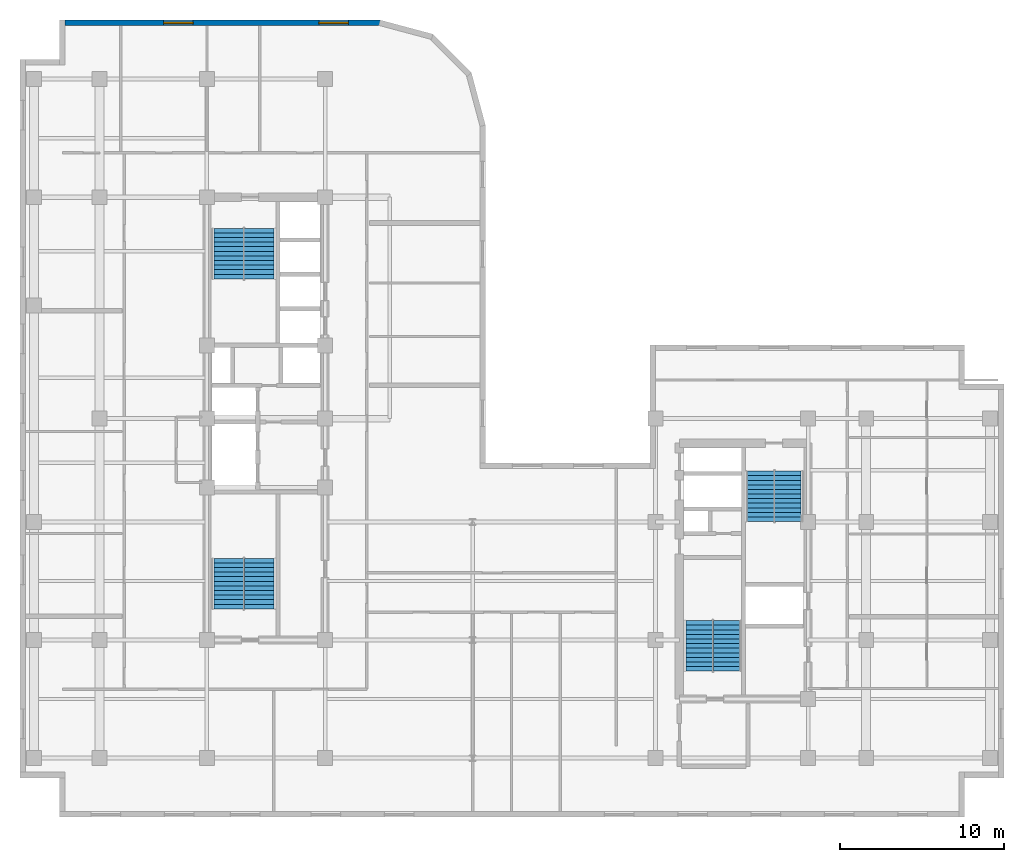
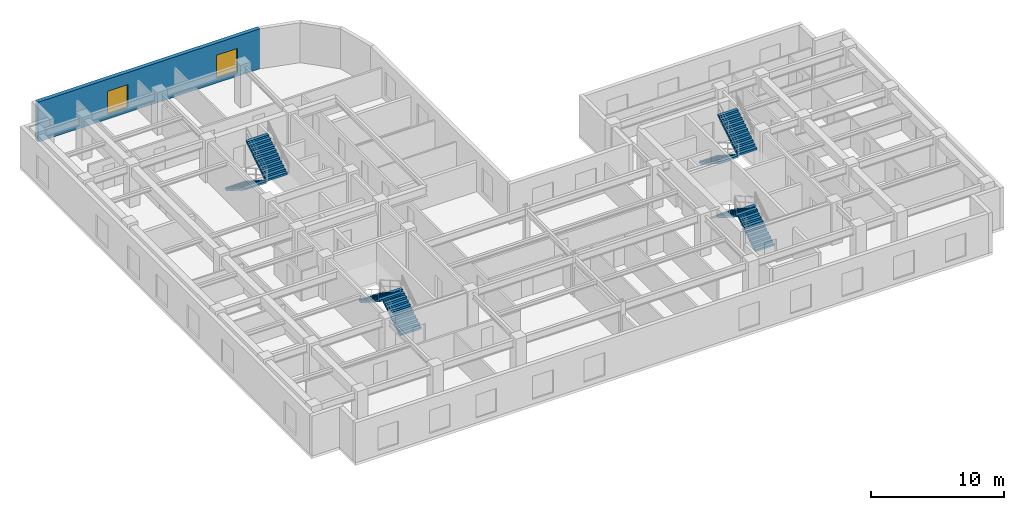
# One storey, part 8 of 11: 8 stair flights, 2 windows, 1 wall, 2 openings, 4 elements without a shape of their own.
"""IFC4 building model written with IfcOpenShell, lengths in metres."""

from ifc_helpers import new_model, entity, si_unit, converted_unit, direction, frame, origin_with_axes, origin_2d_with_axis, place, context, subcontext, project, spatial, polyline, rectangle, outline, extrude, material, layer, layer_set, type_object, element, fill, aggregate, save


model = new_model("IFC4")

# Units and contexts
model_context = context("Model", 3, precision=1e-05, world=origin_with_axes(), true_north=direction((0.0, 1.0)))
body_context = subcontext(model_context, "Body", "Model", "MODEL_VIEW")
ifc_project = project(units=[si_unit("LENGTHUNIT", "METRE"), si_unit("AREAUNIT", "SQUARE_METRE"), si_unit("VOLUMEUNIT", "CUBIC_METRE"), converted_unit("PLANEANGLEUNIT", "DEGREE", entity("IfcPlaneAngleMeasure", 0.017453292519943295), si_unit("PLANEANGLEUNIT", "RADIAN"), dimensions=[0, 0, 0, 0, 0, 0, 0]), si_unit("MASSUNIT", "GRAM", prefix="KILO"), si_unit("THERMODYNAMICTEMPERATUREUNIT", "KELVIN")], contexts=[model_context])

# Site, building, storey
site_placement = place(None, origin_with_axes())
site = spatial("IfcSite", under=ifc_project, at=site_placement, CompositionType="ELEMENT")
building_placement = place(site_placement, origin_with_axes())
building = spatial("IfcBuilding", under=site, at=building_placement, Name="Varnlund Millrace Tower", CompositionType="ELEMENT")
storey_placement = place(building_placement, frame((0.0, 0.0, 196.5), z_axis=(0.0, 0.0, 1.0), x_axis=(1.0, 0.0, 0.0)))
storey = spatial("IfcBuildingStorey", under=building, at=storey_placement, Name="L48", CompositionType="ELEMENT", Elevation=196.5)

# Wall, openings, windows
ifc_material_1 = material(Name="Precast concrete C50/60", Category="concrete")
ifc_layer = layer(ifc_material_1, 0.34, Name="Precast concrete C50/60")
ifc_layer_set = layer_set([ifc_layer], Name="Precast concrete C50/60")
wall_type = type_object("IfcWallType", Name="Type-ExtWall-Precast-Upper-340", PredefinedType="SOLIDWALL", material=ifc_layer_set)
wall_placement = place(storey_placement, frame((2.74, 48.43, 0.0), z_axis=(0.0, 0.0, 1.0), x_axis=(1.0, 0.0, 0.0)))
wall = element("IfcWall", 1, at=wall_placement, inside=storey, type_object=wall_type, Name="Type-ExtWall-Precast-Upper-340", PredefinedType="SOLIDWALL", context=body_context, shape_type="SweptSolid", body=[
    extrude(outline(polyline([(0.0, -0.17), (19.239, -0.17), (19.239, 0.17), (0.0, 0.17), (0.0, -0.17)])), origin_with_axes(), (0.0, 0.0, 1.0), 3.66),
])
opening_1_placement = place(wall_placement, frame((6.915, 0.0, 0.45), z_axis=(0.0, 0.0, 1.0), x_axis=(1.0, 0.0, 0.0)))
opening_1 = element("IfcOpeningElement", 2, at=opening_1_placement, cuts=wall, Name="Opening L48:WN-24", PredefinedType="OPENING", context=body_context, shape_type="SweptSolid", body=[
    extrude(rectangle(XDim=1.8, YDim=0.36, at=origin_2d_with_axis()), origin_with_axes(), (0.0, 0.0, 1.0), 2.1),
])
opening_2_placement = place(wall_placement, frame((16.384, 0.0, 0.45), z_axis=(0.0, 0.0, 1.0), x_axis=(1.0, 0.0, 0.0)))
opening_2 = element("IfcOpeningElement", 3, at=opening_2_placement, cuts=wall, Name="Opening L48:WN-25", PredefinedType="OPENING", context=body_context, shape_type="SweptSolid", body=[
    extrude(rectangle(XDim=1.8, YDim=0.36, at=origin_2d_with_axis()), origin_with_axes(), (0.0, 0.0, 1.0), 2.1),
])
ifc_material_2 = material(Name="Argon low-e triple glazing in thermally broken bronze frame", Category="glass")
window_type = type_object("IfcWindowType", Name="Type-Window-Punched-1800X2100", PartitioningType="SINGLE_PANEL", PredefinedType="WINDOW", material=ifc_material_2)
window_1_placement = place(wall_placement, frame((6.915, 0.0, 0.45), z_axis=(0.0, 0.0, 1.0), x_axis=(1.0, 0.0, 0.0)))
window_1 = element("IfcWindow", 4, at=window_1_placement, inside=storey, type_object=window_type, Name="Type-Window-Punched-1800X2100", OverallHeight=2.1, OverallWidth=1.8, PredefinedType="WINDOW", context=body_context, shape_type="SweptSolid", body=[
    extrude(rectangle(XDim=1.8, YDim=0.09, at=origin_2d_with_axis()), origin_with_axes(), (0.0, 0.0, 1.0), 2.1),
])
fill(opening_1, window_1)
window_2_placement = place(wall_placement, frame((16.384, 0.0, 0.45), z_axis=(0.0, 0.0, 1.0), x_axis=(1.0, 0.0, 0.0)))
window_2 = element("IfcWindow", 5, at=window_2_placement, inside=storey, type_object=window_type, Name="Type-Window-Punched-1800X2100", OverallHeight=2.1, OverallWidth=1.8, PredefinedType="WINDOW", context=body_context, shape_type="SweptSolid", body=[
    extrude(rectangle(XDim=1.8, YDim=0.09, at=origin_2d_with_axis()), origin_with_axes(), (0.0, 0.0, 1.0), 2.1),
])
fill(opening_2, window_2)

# Stair, stair flights
ifc_material_3 = material(Name="Concrete C50/60", Category="concrete")
stair_type_1 = type_object("IfcStairType", Name="Type-Stair-Dogleg-165-390", PredefinedType="HALF_TURN_STAIR", material=ifc_material_3)
stair_1_placement = place(storey_placement, origin_with_axes())
stair_1 = element("IfcStair", 6, at=stair_1_placement, inside=storey, type_object=stair_type_1, Name="Type-Stair-Dogleg-165-390", PredefinedType="HALF_TURN_STAIR")
stair_flight_type_1 = type_object("IfcStairFlightType", Name="Type-Dogleg-Run-165-390", PredefinedType="STRAIGHT", material=ifc_material_1)
stair_flight_1_placement = place(storey_placement, frame((42.225, 8.9, 0.0), z_axis=(1.0, 0.0, 0.0), x_axis=(0.0, 1.0, 0.0)))
stair_flight_1 = element("IfcStairFlight", 7, at=stair_flight_1_placement, type_object=stair_flight_type_1, Name="ST-B1 flight 1", NumberOfRisers=11, NumberOfTreads=11, PredefinedType="STRAIGHT", RiserHeight=0.177273, TreadLength=0.28, context=body_context, shape_type="SweptSolid", body=[
    extrude(outline(polyline([(0.0, 0.0), (0.0, 0.177273), (0.28, 0.177273), (0.28, 0.354545), (0.56, 0.354545), (0.56, 0.531818), (0.84, 0.531818), (0.84, 0.709091), (1.12, 0.709091), (1.12, 0.886364), (1.4, 0.886364), (1.4, 1.063636), (1.68, 1.063636), (1.68, 1.240909), (1.96, 1.240909), (1.96, 1.418182), (2.24, 1.418182), (2.24, 1.595454), (2.52, 1.595454), (2.52, 1.772727), (2.8, 1.772727), (2.8, 1.95), (3.08, 1.95), (3.08, 1.8), (0.28, 0.0), (0.0, 0.0)])), origin_with_axes(), (0.0, 0.0, 1.0), 1.65),
])
stair_flight_2_placement = place(storey_placement, frame((42.275, 11.98, 1.95), z_axis=(-1.0, 0.0, 0.0), x_axis=(0.0, -1.0, 0.0)))
stair_flight_2 = element("IfcStairFlight", 8, at=stair_flight_2_placement, type_object=stair_flight_type_1, Name="ST-B1 flight 2", NumberOfRisers=11, NumberOfTreads=11, PredefinedType="STRAIGHT", RiserHeight=0.177273, TreadLength=0.28, context=body_context, shape_type="SweptSolid", body=[
    extrude(outline(polyline([(0.0, 0.0), (0.0, 0.177273), (0.28, 0.177273), (0.28, 0.354545), (0.56, 0.354545), (0.56, 0.531818), (0.84, 0.531818), (0.84, 0.709091), (1.12, 0.709091), (1.12, 0.886364), (1.4, 0.886364), (1.4, 1.063636), (1.68, 1.063636), (1.68, 1.240909), (1.96, 1.240909), (1.96, 1.418182), (2.24, 1.418182), (2.24, 1.595454), (2.52, 1.595454), (2.52, 1.772727), (2.8, 1.772727), (2.8, 1.95), (3.08, 1.95), (3.08, 1.8), (0.28, 0.0), (0.0, 0.0)])), origin_with_axes(), (0.0, 0.0, 1.0), 1.65),
])
aggregate(stair_1, [stair_flight_1, stair_flight_2])

stair_2_placement = place(storey_placement, origin_with_axes())
stair_2 = element("IfcStair", 9, at=stair_2_placement, inside=storey, type_object=stair_type_1, Name="Type-Stair-Dogleg-165-390", PredefinedType="HALF_TURN_STAIR")
stair_flight_3_placement = place(storey_placement, frame((46.025, 21.1, 0.0), z_axis=(-1.0, 0.0, 0.0), x_axis=(0.0, -1.0, 0.0)))
stair_flight_3 = element("IfcStairFlight", 10, at=stair_flight_3_placement, type_object=stair_flight_type_1, Name="ST-B2 flight 1", NumberOfRisers=11, NumberOfTreads=11, PredefinedType="STRAIGHT", RiserHeight=0.177273, TreadLength=0.28, context=body_context, shape_type="SweptSolid", body=[
    extrude(outline(polyline([(0.0, 0.0), (0.0, 0.177273), (0.28, 0.177273), (0.28, 0.354545), (0.56, 0.354545), (0.56, 0.531818), (0.84, 0.531818), (0.84, 0.709091), (1.12, 0.709091), (1.12, 0.886364), (1.4, 0.886364), (1.4, 1.063636), (1.68, 1.063636), (1.68, 1.240909), (1.96, 1.240909), (1.96, 1.418182), (2.24, 1.418182), (2.24, 1.595454), (2.52, 1.595454), (2.52, 1.772727), (2.8, 1.772727), (2.8, 1.95), (3.08, 1.95), (3.08, 1.8), (0.28, 0.0), (0.0, 0.0)])), origin_with_axes(), (0.0, 0.0, 1.0), 1.65),
])
stair_flight_4_placement = place(storey_placement, frame((45.975, 18.02, 1.95), z_axis=(1.0, 0.0, 0.0), x_axis=(0.0, 1.0, 0.0)))
stair_flight_4 = element("IfcStairFlight", 11, at=stair_flight_4_placement, type_object=stair_flight_type_1, Name="ST-B2 flight 2", NumberOfRisers=11, NumberOfTreads=11, PredefinedType="STRAIGHT", RiserHeight=0.177273, TreadLength=0.28, context=body_context, shape_type="SweptSolid", body=[
    extrude(outline(polyline([(0.0, 0.0), (0.0, 0.177273), (0.28, 0.177273), (0.28, 0.354545), (0.56, 0.354545), (0.56, 0.531818), (0.84, 0.531818), (0.84, 0.709091), (1.12, 0.709091), (1.12, 0.886364), (1.4, 0.886364), (1.4, 1.063636), (1.68, 1.063636), (1.68, 1.240909), (1.96, 1.240909), (1.96, 1.418182), (2.24, 1.418182), (2.24, 1.595454), (2.52, 1.595454), (2.52, 1.772727), (2.8, 1.772727), (2.8, 1.95), (3.08, 1.95), (3.08, 1.8), (0.28, 0.0), (0.0, 0.0)])), origin_with_axes(), (0.0, 0.0, 1.0), 1.65),
])
aggregate(stair_2, [stair_flight_3, stair_flight_4])

stair_type_2 = type_object("IfcStairType", Name="Type-Stair-Dogleg-185-390", PredefinedType="HALF_TURN_STAIR", material=ifc_material_3)
stair_3_placement = place(storey_placement, origin_with_axes())
stair_3 = element("IfcStair", 12, at=stair_3_placement, inside=storey, type_object=stair_type_2, Name="Type-Stair-Dogleg-185-390", PredefinedType="HALF_TURN_STAIR")
stair_flight_type_2 = type_object("IfcStairFlightType", Name="Type-Dogleg-Run-185-390", PredefinedType="STRAIGHT", material=ifc_material_1)
stair_flight_5_placement = place(storey_placement, frame((13.625, 12.7, 0.0), z_axis=(1.0, 0.0, 0.0), x_axis=(0.0, 1.0, 0.0)))
stair_flight_5 = element("IfcStairFlight", 13, at=stair_flight_5_placement, type_object=stair_flight_type_2, Name="ST-A1 flight 1", NumberOfRisers=11, NumberOfTreads=11, PredefinedType="STRAIGHT", RiserHeight=0.177273, TreadLength=0.28, context=body_context, shape_type="SweptSolid", body=[
    extrude(outline(polyline([(0.0, 0.0), (0.0, 0.177273), (0.28, 0.177273), (0.28, 0.354545), (0.56, 0.354545), (0.56, 0.531818), (0.84, 0.531818), (0.84, 0.709091), (1.12, 0.709091), (1.12, 0.886364), (1.4, 0.886364), (1.4, 1.063636), (1.68, 1.063636), (1.68, 1.240909), (1.96, 1.240909), (1.96, 1.418182), (2.24, 1.418182), (2.24, 1.595454), (2.52, 1.595454), (2.52, 1.772727), (2.8, 1.772727), (2.8, 1.95), (3.08, 1.95), (3.08, 1.8), (0.28, 0.0), (0.0, 0.0)])), origin_with_axes(), (0.0, 0.0, 1.0), 1.85),
])
stair_flight_6_placement = place(storey_placement, frame((13.675, 15.78, 1.95), z_axis=(-1.0, 0.0, 0.0), x_axis=(0.0, -1.0, 0.0)))
stair_flight_6 = element("IfcStairFlight", 14, at=stair_flight_6_placement, type_object=stair_flight_type_2, Name="ST-A1 flight 2", NumberOfRisers=11, NumberOfTreads=11, PredefinedType="STRAIGHT", RiserHeight=0.177273, TreadLength=0.28, context=body_context, shape_type="SweptSolid", body=[
    extrude(outline(polyline([(0.0, 0.0), (0.0, 0.177273), (0.28, 0.177273), (0.28, 0.354545), (0.56, 0.354545), (0.56, 0.531818), (0.84, 0.531818), (0.84, 0.709091), (1.12, 0.709091), (1.12, 0.886364), (1.4, 0.886364), (1.4, 1.063636), (1.68, 1.063636), (1.68, 1.240909), (1.96, 1.240909), (1.96, 1.418182), (2.24, 1.418182), (2.24, 1.595454), (2.52, 1.595454), (2.52, 1.772727), (2.8, 1.772727), (2.8, 1.95), (3.08, 1.95), (3.08, 1.8), (0.28, 0.0), (0.0, 0.0)])), origin_with_axes(), (0.0, 0.0, 1.0), 1.85),
])
aggregate(stair_3, [stair_flight_5, stair_flight_6])

stair_4_placement = place(storey_placement, origin_with_axes())
stair_4 = element("IfcStair", 15, at=stair_4_placement, inside=storey, type_object=stair_type_2, Name="Type-Stair-Dogleg-185-390", PredefinedType="HALF_TURN_STAIR")
stair_flight_7_placement = place(storey_placement, frame((13.675, 35.9, 0.0), z_axis=(-1.0, 0.0, 0.0), x_axis=(0.0, -1.0, 0.0)))
stair_flight_7 = element("IfcStairFlight", 16, at=stair_flight_7_placement, type_object=stair_flight_type_2, Name="ST-A2 flight 1", NumberOfRisers=11, NumberOfTreads=11, PredefinedType="STRAIGHT", RiserHeight=0.177273, TreadLength=0.28, context=body_context, shape_type="SweptSolid", body=[
    extrude(outline(polyline([(0.0, 0.0), (0.0, 0.177273), (0.28, 0.177273), (0.28, 0.354545), (0.56, 0.354545), (0.56, 0.531818), (0.84, 0.531818), (0.84, 0.709091), (1.12, 0.709091), (1.12, 0.886364), (1.4, 0.886364), (1.4, 1.063636), (1.68, 1.063636), (1.68, 1.240909), (1.96, 1.240909), (1.96, 1.418182), (2.24, 1.418182), (2.24, 1.595454), (2.52, 1.595454), (2.52, 1.772727), (2.8, 1.772727), (2.8, 1.95), (3.08, 1.95), (3.08, 1.8), (0.28, 0.0), (0.0, 0.0)])), origin_with_axes(), (0.0, 0.0, 1.0), 1.85),
])
stair_flight_8_placement = place(storey_placement, frame((13.625, 32.82, 1.95), z_axis=(1.0, 0.0, 0.0), x_axis=(0.0, 1.0, 0.0)))
stair_flight_8 = element("IfcStairFlight", 17, at=stair_flight_8_placement, type_object=stair_flight_type_2, Name="ST-A2 flight 2", NumberOfRisers=11, NumberOfTreads=11, PredefinedType="STRAIGHT", RiserHeight=0.177273, TreadLength=0.28, context=body_context, shape_type="SweptSolid", body=[
    extrude(outline(polyline([(0.0, 0.0), (0.0, 0.177273), (0.28, 0.177273), (0.28, 0.354545), (0.56, 0.354545), (0.56, 0.531818), (0.84, 0.531818), (0.84, 0.709091), (1.12, 0.709091), (1.12, 0.886364), (1.4, 0.886364), (1.4, 1.063636), (1.68, 1.063636), (1.68, 1.240909), (1.96, 1.240909), (1.96, 1.418182), (2.24, 1.418182), (2.24, 1.595454), (2.52, 1.595454), (2.52, 1.772727), (2.8, 1.772727), (2.8, 1.95), (3.08, 1.95), (3.08, 1.8), (0.28, 0.0), (0.0, 0.0)])), origin_with_axes(), (0.0, 0.0, 1.0), 1.85),
])
aggregate(stair_4, [stair_flight_7, stair_flight_8])

save(model, "model.ifc")
